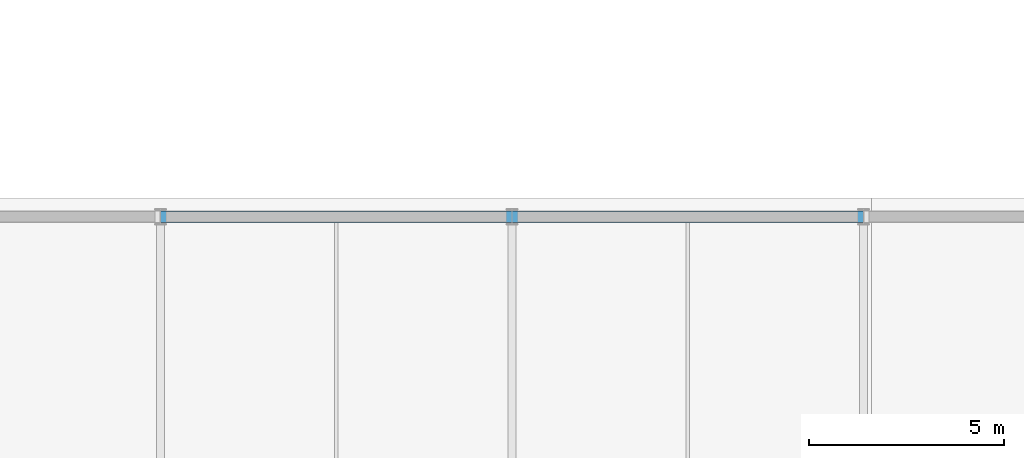
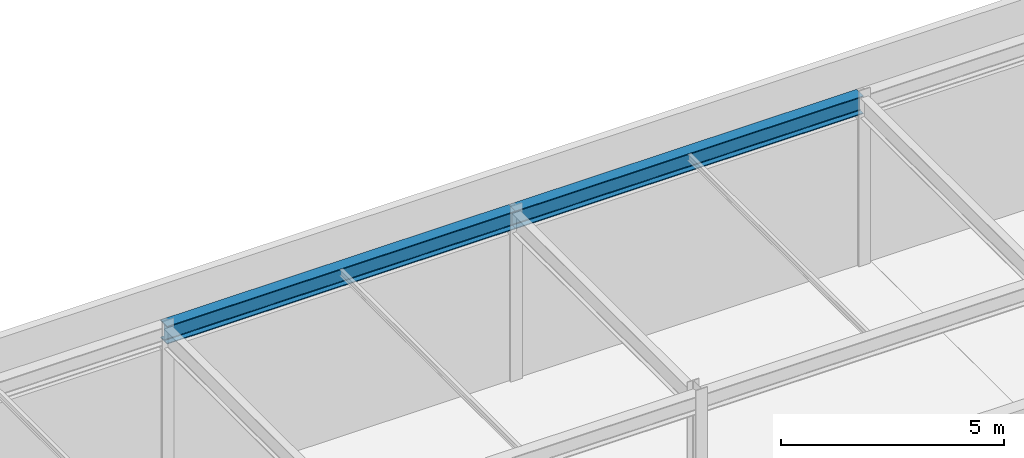
# One storey, part 13 of 38: 2 beams.
"""IFC4 building model written with IfcOpenShell, lengths in metres."""

from ifc_helpers import new_model, si_unit, direction, frame, origin, origin_2d, place, context, subcontext, project, spatial, i_section, extrude, material, material_profile, profile_set, type_object, element, save


model = new_model("IFC4")

# Units and contexts
model_context = context("Model", 3, precision=1e-05, world=origin(), true_north=direction((0.0, 1.0)))
body_context = subcontext(model_context, "Body", "Model", "MODEL_VIEW")
ifc_project = project(units=[si_unit("LENGTHUNIT", "METRE"), si_unit("AREAUNIT", "SQUARE_METRE"), si_unit("VOLUMEUNIT", "CUBIC_METRE"), si_unit("PLANEANGLEUNIT", "RADIAN"), si_unit("MASSUNIT", "GRAM", prefix="KILO")], contexts=[model_context])

# Site, building, storey
site_placement = place(None, origin())
site = spatial("IfcSite", under=ifc_project, at=site_placement, CompositionType="ELEMENT")
building_placement = place(site_placement, origin())
building = spatial("IfcBuilding", under=site, at=building_placement, Name="Kaldris Quays Convention Centre", CompositionType="ELEMENT")
storey_placement = place(building_placement, frame((0.0, 0.0, 21.60009765625)))
storey = spatial("IfcBuildingStorey", under=building, at=storey_placement, Name="L04", CompositionType="ELEMENT", Elevation=21.60009765625)

# Beams
ifc_material = material(Name="Steel S355J2", Category="steel")
ifc_material_profile = material_profile(ifc_material, i_section(OverallWidth=0.300048828125, OverallDepth=0.489990234375, WebThickness=0.011962890625, FlangeThickness=0.02294921875, FilletRadius=0.027099609375, at=origin_2d()), Name="HEA 500")
ifc_profile_set = profile_set([ifc_material_profile], Name="Steel S355J2")
beam_type = type_object("IfcBeamType", Name="STRUCTURAL BEAM BM09", PredefinedType="BEAM", material=ifc_profile_set)
for number, where, z_axis, x_axis, name in (
    (1, (101.000732421875, 54.89990234375, 4.347900390625), (1.0, 0.0, 0.0), (0.0, 1.0, 0.0), "L04 Girder BM09 18"),
    (2, (110.000732421875, 54.89990234375, 4.347900390625), (1.0, 0.0, 0.0), (0.0, 1.0, 0.0), "L04 Girder BM09 19"),
):
    element("IfcBeam", number, at=place(storey_placement, frame(where, z_axis=z_axis, x_axis=x_axis)), inside=storey, type_object=beam_type, Name=name, PredefinedType="BEAM", context=body_context, shape_type="SweptSolid", body=[
        extrude(i_section(OverallWidth=0.300048828125, OverallDepth=0.489990234375, WebThickness=0.011962890625, FlangeThickness=0.02294921875, FilletRadius=0.027099609375, at=origin_2d()), origin(), (0.0, 0.0, 1.0), 8.99853515625),
    ])

save(model, "model.ifc")
